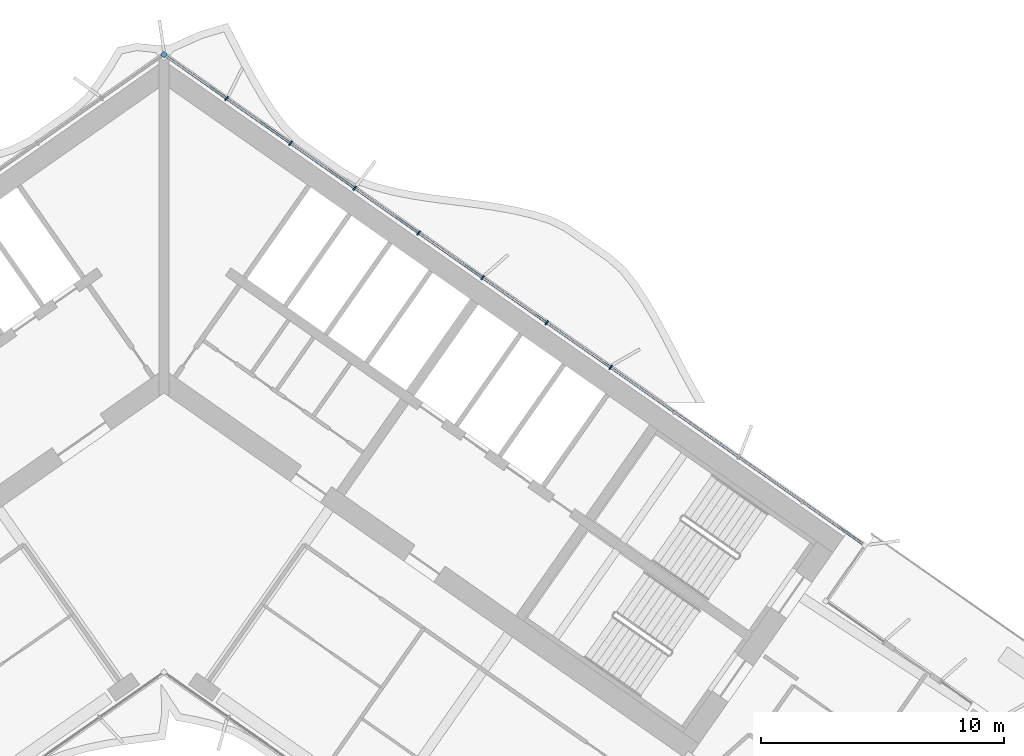
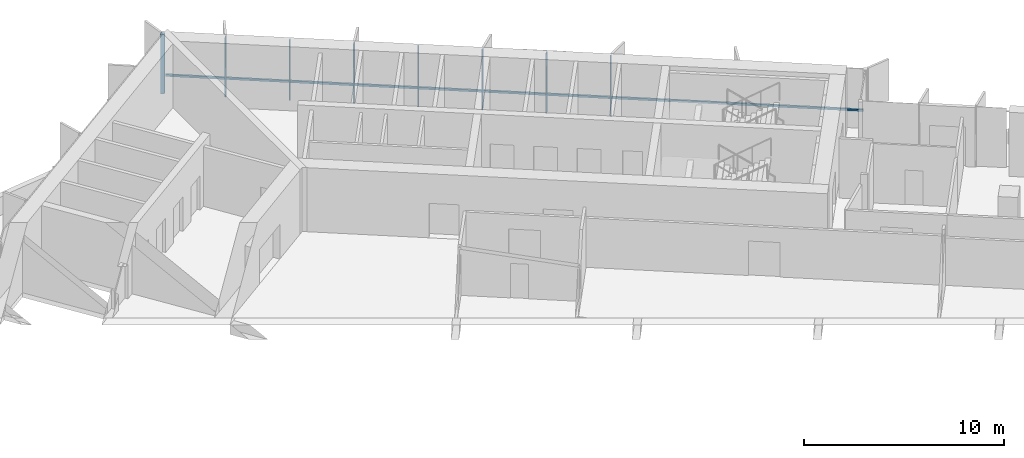
# One storey, part 8 of 24: 9 members, 1 element without a shape of its own.
"""IFC4 building model written with IfcOpenShell, lengths in metres."""

from ifc_helpers import new_model, si_unit, direction, frame, origin, origin_2d, place, context, subcontext, project, spatial, rectangle, extrude, material, material_profile, profile_set, type_object, element, aggregate, save


model = new_model("IFC4")

# Units and contexts
model_context = context("Model", 3, precision=1e-05, world=origin(), true_north=direction((0.0, 1.0)))
body_context = subcontext(model_context, "Body", "Model", "MODEL_VIEW")
ifc_project = project(units=[si_unit("LENGTHUNIT", "METRE"), si_unit("AREAUNIT", "SQUARE_METRE"), si_unit("VOLUMEUNIT", "CUBIC_METRE"), si_unit("PLANEANGLEUNIT", "RADIAN"), si_unit("MASSUNIT", "GRAM", prefix="KILO")], contexts=[model_context])

# Site, building, storey
site_placement = place(None, origin())
site = spatial("IfcSite", under=ifc_project, at=site_placement, CompositionType="ELEMENT")
building_placement = place(site_placement, origin())
building = spatial("IfcBuilding", under=site, at=building_placement, Name="Tel Ilan Convention Tower", CompositionType="ELEMENT")
storey_placement = place(building_placement, frame((0.0, 0.0, 132.0)))
storey = spatial("IfcBuildingStorey", under=building, at=storey_placement, Name="L29", CompositionType="ELEMENT", Elevation=132.0)

# Curtain wall, members
ifc_material_1 = material(Name="Aluminium, bronze anodised", Category="aluminium")
curtain_wall_type = type_object("IfcCurtainWallType", Name="CW2 STICK CURTAIN WALL, SPANDREL PANELS", PredefinedType="NOTDEFINED", material=ifc_material_1)
curtain_wall_placement = place(storey_placement, origin())
curtain_wall = element("IfcCurtainWall", 1, at=curtain_wall_placement, inside=storey, type_object=curtain_wall_type, Name="Curtain wall CW2-23.05", PredefinedType="NOTDEFINED")
ifc_material_2 = material(Name="Aluminium, bronze anodised", Category="aluminium")
ifc_material_profile_1 = material_profile(ifc_material_2, rectangle(XDim=0.199951171875, YDim=0.199951171875, at=origin_2d()), Name="CW CORNER MULLION 200x200")
ifc_profile_set_1 = profile_set([ifc_material_profile_1], Name="Aluminium, bronze anodised")
member_type_1 = type_object("IfcMemberType", Name="CW CORNER MULLION 200x200", PredefinedType="MULLION", material=ifc_profile_set_1)
member_1_placement = place(storey_placement, frame((0.0, 12.696044921875, 0.0), z_axis=(0.0, 0.0, 1.0), x_axis=(-0.819152044289, 0.573576436351, 0.0)))
member_1 = element("IfcMember", 2, at=member_1_placement, type_object=member_type_1, Name="Corner mullion", PredefinedType="MULLION", context=body_context, shape_type="SweptSolid", body=[
    extrude(rectangle(XDim=0.199951171875, YDim=0.199951171875, at=origin_2d()), origin(), (0.0, 0.0, 1.0), 3.6201171875),
])
ifc_material_3 = material(Name="Aluminium, bronze anodised", Category="aluminium")
ifc_material_profile_2 = material_profile(ifc_material_3, rectangle(XDim=0.06005859375, YDim=0.199951171875, at=origin_2d()), Name="CW MULLION 60x200")
ifc_profile_set_2 = profile_set([ifc_material_profile_2], Name="Aluminium, bronze anodised")
member_type_2 = type_object("IfcMemberType", Name="CW MULLION 60x200", PredefinedType="MULLION", material=ifc_profile_set_2)
member_2_placement = place(storey_placement, frame((18.37109375, -0.16748046875, 0.0), z_axis=(0.0, 0.0, 1.0), x_axis=(-0.819152044289, 0.573576436351, 0.0)))
member_2 = element("IfcMember", 3, at=member_2_placement, type_object=member_type_2, Name="Mullion", PredefinedType="MULLION", context=body_context, shape_type="SweptSolid", body=[
    extrude(rectangle(XDim=0.06005859375, YDim=0.199951171875, at=origin_2d()), origin(), (0.0, 0.0, 1.0), 3.6201171875),
])
member_3_placement = place(storey_placement, frame((15.73828125, 1.676025390625, 0.0), z_axis=(0.0, 0.0, 1.0), x_axis=(-0.819152044289, 0.573576436351, 0.0)))
member_3 = element("IfcMember", 4, at=member_3_placement, type_object=member_type_2, Name="Mullion", PredefinedType="MULLION", context=body_context, shape_type="SweptSolid", body=[
    extrude(rectangle(XDim=0.06005859375, YDim=0.199951171875, at=origin_2d()), origin(), (0.0, 0.0, 1.0), 3.6201171875),
])
member_4_placement = place(storey_placement, frame((13.105712890625, 3.519287109375, 0.0), z_axis=(0.0, 0.0, 1.0), x_axis=(-0.819152044289, 0.573576436351, 0.0)))
member_4 = element("IfcMember", 5, at=member_4_placement, type_object=member_type_2, Name="Mullion", PredefinedType="MULLION", context=body_context, shape_type="SweptSolid", body=[
    extrude(rectangle(XDim=0.06005859375, YDim=0.199951171875, at=origin_2d()), origin(), (0.0, 0.0, 1.0), 3.6201171875),
])
member_5_placement = place(storey_placement, frame((10.47314453125, 5.36279296875, 0.0), z_axis=(0.0, 0.0, 1.0), x_axis=(-0.819152044289, 0.573576436351, 0.0)))
member_5 = element("IfcMember", 6, at=member_5_placement, type_object=member_type_2, Name="Mullion", PredefinedType="MULLION", context=body_context, shape_type="SweptSolid", body=[
    extrude(rectangle(XDim=0.06005859375, YDim=0.199951171875, at=origin_2d()), origin(), (0.0, 0.0, 1.0), 3.6201171875),
])
member_6_placement = place(storey_placement, frame((7.840576171875, 7.2060546875, 0.0), z_axis=(0.0, 0.0, 1.0), x_axis=(-0.819152044289, 0.573576436351, 0.0)))
member_6 = element("IfcMember", 7, at=member_6_placement, type_object=member_type_2, Name="Mullion", PredefinedType="MULLION", context=body_context, shape_type="SweptSolid", body=[
    extrude(rectangle(XDim=0.06005859375, YDim=0.199951171875, at=origin_2d()), origin(), (0.0, 0.0, 1.0), 3.6201171875),
])
member_7_placement = place(storey_placement, frame((5.207763671875, 9.049560546875, 0.0), z_axis=(0.0, 0.0, 1.0), x_axis=(-0.819152044289, 0.573576436351, 0.0)))
member_7 = element("IfcMember", 8, at=member_7_placement, type_object=member_type_2, Name="Mullion", PredefinedType="MULLION", context=body_context, shape_type="SweptSolid", body=[
    extrude(rectangle(XDim=0.06005859375, YDim=0.199951171875, at=origin_2d()), origin(), (0.0, 0.0, 1.0), 3.6201171875),
])
member_8_placement = place(storey_placement, frame((2.5751953125, 10.892822265625, 0.0), z_axis=(0.0, 0.0, 1.0), x_axis=(-0.819152044289, 0.573576436351, 0.0)))
member_8 = element("IfcMember", 9, at=member_8_placement, type_object=member_type_2, Name="Mullion", PredefinedType="MULLION", context=body_context, shape_type="SweptSolid", body=[
    extrude(rectangle(XDim=0.06005859375, YDim=0.199951171875, at=origin_2d()), origin(), (0.0, 0.0, 1.0), 3.6201171875),
])
ifc_material_4 = material(Name="Aluminium, bronze anodised", Category="aluminium")
ifc_material_profile_3 = material_profile(ifc_material_4, rectangle(XDim=0.10009765625, YDim=0.1201171875, at=origin_2d()), Name="CW TRANSOM 100x120")
ifc_profile_set_3 = profile_set([ifc_material_profile_3], Name="Aluminium, bronze anodised")
member_type_3 = type_object("IfcMemberType", Name="CW TRANSOM 100x120", PredefinedType="USERDEFINED", material=ifc_profile_set_3)
member_9_placement = place(storey_placement, frame((28.737548828125, -7.42626953125, 1.10009765625), z_axis=(-0.819150201937, 0.573579067494, 0.0), x_axis=(-0.573579067494, -0.819150201937, 0.0)))
member_9 = element("IfcMember", 10, at=member_9_placement, type_object=member_type_3, Name="Transom", ObjectType="TRANSOM", PredefinedType="USERDEFINED", context=body_context, shape_type="SweptSolid", body=[
    extrude(rectangle(XDim=0.10009765625, YDim=0.1201171875, at=origin_2d()), origin(), (0.0, 0.0, 1.0), 34.9521484375),
])
aggregate(curtain_wall, [member_2, member_3, member_4, member_5, member_6, member_7, member_8, member_1, member_9])

save(model, "model.ifc")
